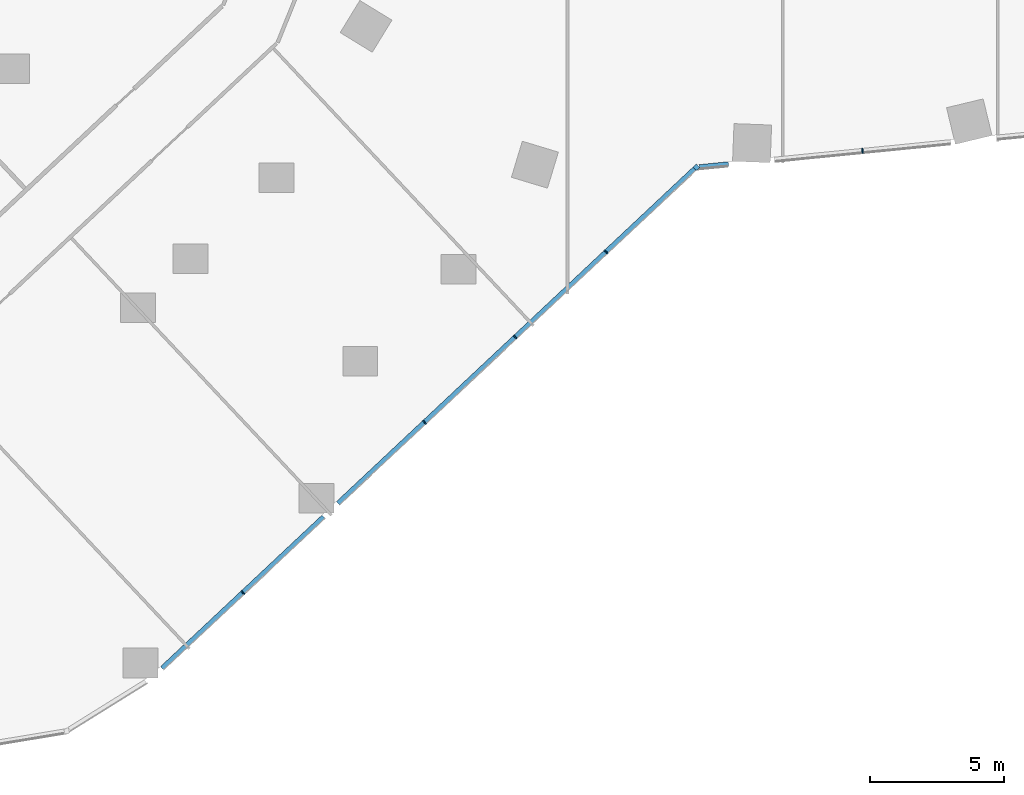
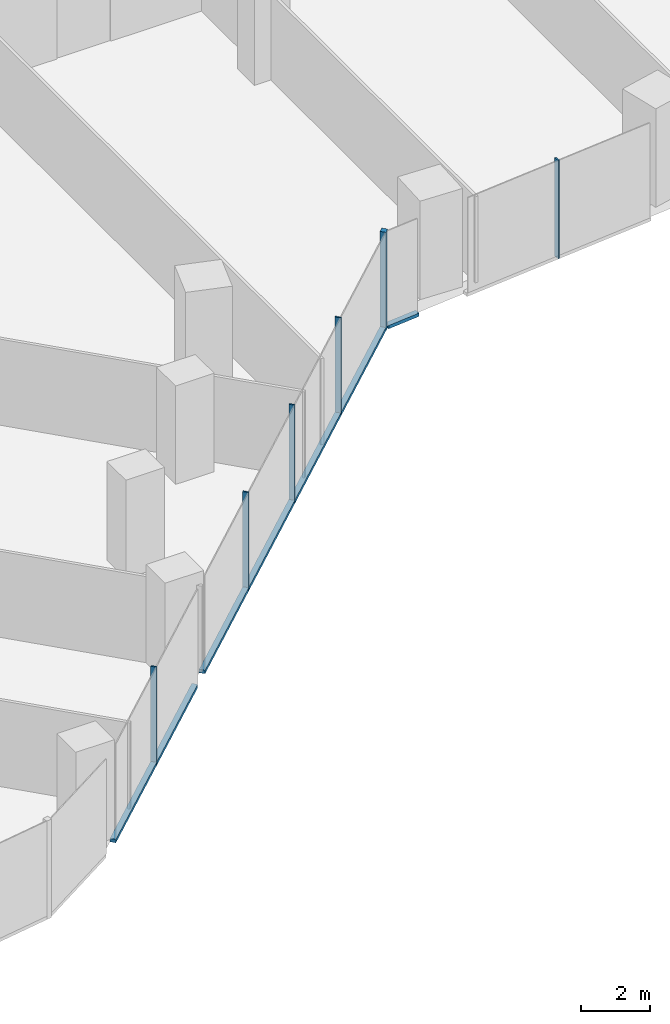
# One storey, part 4 of 34: 9 members, 2 elements without a shape of their own.
"""IFC4 building model written with IfcOpenShell, lengths in metres."""

from ifc_helpers import new_model, si_unit, direction, frame, origin, origin_2d, place, context, subcontext, project, spatial, rectangle, extrude, material, material_profile, profile_set, type_object, element, aggregate, save


model = new_model("IFC4")

# Units and contexts
model_context = context("Model", 3, precision=1e-05, world=origin(), true_north=direction((0.0, 1.0)))
body_context = subcontext(model_context, "Body", "Model", "MODEL_VIEW")
ifc_project = project(units=[si_unit("LENGTHUNIT", "METRE"), si_unit("AREAUNIT", "SQUARE_METRE"), si_unit("VOLUMEUNIT", "CUBIC_METRE"), si_unit("PLANEANGLEUNIT", "RADIAN"), si_unit("MASSUNIT", "GRAM", prefix="KILO")], contexts=[model_context])

# Site, building, storey
site_placement = place(None, origin())
site = spatial("IfcSite", under=ifc_project, at=site_placement, CompositionType="ELEMENT")
building_placement = place(site_placement, origin())
building = spatial("IfcBuilding", under=site, at=building_placement, Name="Orlundy Tower", CompositionType="ELEMENT")
storey_placement = place(building_placement, frame((0.0, 0.0, 40.800048828125)))
storey = spatial("IfcBuildingStorey", under=building, at=storey_placement, Name="L08", CompositionType="ELEMENT", Elevation=40.800048828125)

# Curtain wall, member
ifc_material_1 = material(Name="Aluminium bronze anodised", Category="aluminium")
curtain_wall_type = type_object("IfcCurtainWallType", Name="CW1 wall", PredefinedType="NOTDEFINED", material=ifc_material_1)
curtain_wall_1_placement = place(storey_placement, origin())
curtain_wall_1 = element("IfcCurtainWall", 1, at=curtain_wall_1_placement, inside=storey, type_object=curtain_wall_type, Name="CW1 run 018", PredefinedType="NOTDEFINED")
ifc_material_2 = material(Name="Aluminium bronze anodised", Category="aluminium")
ifc_material_profile_1 = material_profile(ifc_material_2, rectangle(XDim=0.179931640625, YDim=0.179931640625, at=origin_2d()), Name="CW1 corner post 180x180")
ifc_profile_set_1 = profile_set([ifc_material_profile_1], Name="Aluminium bronze anodised")
member_type_1 = type_object("IfcMemberType", Name="CW1 corner post 180x180", PredefinedType="MULLION", material=ifc_profile_set_1)
member_1_placement = place(storey_placement, frame((-3.210693359375, -30.556640625, -0.420166015625), z_axis=(0.0, 0.0, 1.0), x_axis=(0.684124281784, -0.729365455086, 0.0)))
member_1 = element("IfcMember", 2, at=member_1_placement, type_object=member_type_1, Name="CW1 mullion 51", PredefinedType="MULLION", context=body_context, shape_type="SweptSolid", body=[
    extrude(rectangle(XDim=0.179931640625, YDim=0.179931640625, at=origin_2d()), origin(), (0.0, 0.0, 1.0), 3.5),
])

curtain_wall_2_placement = place(storey_placement, origin())
curtain_wall_2 = element("IfcCurtainWall", 3, at=curtain_wall_2_placement, inside=storey, type_object=curtain_wall_type, Name="CW1 run 017", PredefinedType="NOTDEFINED")
ifc_material_3 = material(Name="Aluminium bronze anodised", Category="aluminium")
ifc_material_profile_2 = material_profile(ifc_material_3, rectangle(XDim=0.179931640625, YDim=0.050048828125, at=origin_2d()), Name="CW1 mullion 50x180")
ifc_profile_set_2 = profile_set([ifc_material_profile_2], Name="Aluminium bronze anodised")
member_type_2 = type_object("IfcMemberType", Name="CW1 mullion 50x180", PredefinedType="MULLION", material=ifc_profile_set_2)
member_2_placement = place(storey_placement, frame((2.971435546875, -29.943115234375, -0.420166015625), z_axis=(0.0, 0.0, 1.0), x_axis=(0.098750373279, -0.995112236774, 0.0)))
member_2 = element("IfcMember", 4, at=member_2_placement, type_object=member_type_2, Name="CW1 mullion 50", PredefinedType="MULLION", context=body_context, shape_type="SweptSolid", body=[
    extrude(rectangle(XDim=0.179931640625, YDim=0.050048828125, at=origin_2d()), origin(), (0.0, 0.0, 1.0), 3.5),
])

# Member
member_3_placement = place(storey_placement, frame((-6.56591796875, -33.70361328125, -0.420166015625), z_axis=(0.0, 0.0, 1.0), x_axis=(0.684124281784, -0.729365455086, 0.0)))
member_3 = element("IfcMember", 5, at=member_3_placement, type_object=member_type_2, Name="CW1 mullion 52", PredefinedType="MULLION", context=body_context, shape_type="SweptSolid", body=[
    extrude(rectangle(XDim=0.179931640625, YDim=0.050048828125, at=origin_2d()), origin(), (0.0, 0.0, 1.0), 3.5),
])

member_4_placement = place(storey_placement, frame((-9.943359375, -36.87158203125, -0.420166015625), z_axis=(0.0, 0.0, 1.0), x_axis=(0.684124281784, -0.729365455086, 0.0)))
member_4 = element("IfcMember", 6, at=member_4_placement, type_object=member_type_2, Name="CW1 mullion 53", PredefinedType="MULLION", context=body_context, shape_type="SweptSolid", body=[
    extrude(rectangle(XDim=0.179931640625, YDim=0.050048828125, at=origin_2d()), origin(), (0.0, 0.0, 1.0), 3.5),
])

member_5_placement = place(storey_placement, frame((-13.321044921875, -40.03955078125, -0.420166015625), z_axis=(0.0, 0.0, 1.0), x_axis=(0.684124281784, -0.729365455086, 0.0)))
member_5 = element("IfcMember", 7, at=member_5_placement, type_object=member_type_2, Name="CW1 mullion 54", PredefinedType="MULLION", context=body_context, shape_type="SweptSolid", body=[
    extrude(rectangle(XDim=0.179931640625, YDim=0.050048828125, at=origin_2d()), origin(), (0.0, 0.0, 1.0), 3.5),
])

member_6_placement = place(storey_placement, frame((-20.075927734375, -46.375732421875, -0.420166015625), z_axis=(0.0, 0.0, 1.0), x_axis=(0.684124281784, -0.729365455086, 0.0)))
member_6 = element("IfcMember", 8, at=member_6_placement, type_object=member_type_2, Name="CW1 mullion 56", PredefinedType="MULLION", context=body_context, shape_type="SweptSolid", body=[
    extrude(rectangle(XDim=0.179931640625, YDim=0.050048828125, at=origin_2d()), origin(), (0.0, 0.0, 1.0), 3.5),
])

ifc_material_4 = material(Name="Aluminium bronze anodised", Category="aluminium")
ifc_material_profile_3 = material_profile(ifc_material_4, rectangle(XDim=0.179931640625, YDim=0.1201171875, at=origin_2d()), Name="CW1 transom 180x120")
ifc_profile_set_3 = profile_set([ifc_material_profile_3], Name="Aluminium bronze anodised")
member_type_3 = type_object("IfcMemberType", Name="CW1 transom 180x120", PredefinedType="USERDEFINED", material=ifc_profile_set_3)
member_7_placement = place(storey_placement, frame((-2.0166015625, -30.43798828125, -0.360107421875), z_axis=(-0.99510149276, -0.098858581353, 0.0), x_axis=(0.098858581353, -0.99510149276, 0.0)))
member_7 = element("IfcMember", 9, at=member_7_placement, type_object=member_type_3, Name="CW1 transom", ObjectType="TRANSOM", PredefinedType="USERDEFINED", context=body_context, shape_type="SweptSolid", body=[
    extrude(rectangle(XDim=0.179931640625, YDim=0.1201171875, at=origin_2d()), origin(), (0.0, 0.0, 1.0), 1.086669921875),
])

aggregate(curtain_wall_2, [member_2, member_7])

member_8_placement = place(storey_placement, frame((-3.2763671875, -30.6181640625, -0.360107421875), z_axis=(-0.729371353005, -0.684117993781, 0.0), x_axis=(0.684117993781, -0.729371353005, 0.0)))
member_8 = element("IfcMember", 10, at=member_8_placement, type_object=member_type_3, Name="CW1 transom", ObjectType="TRANSOM", PredefinedType="USERDEFINED", context=body_context, shape_type="SweptSolid", body=[
    extrude(rectangle(XDim=0.179931640625, YDim=0.1201171875, at=origin_2d()), origin(), (0.0, 0.0, 1.0), 18.18115234375),
])

member_9_placement = place(storey_placement, frame((-17.073974609375, -43.56005859375, -0.360107421875), z_axis=(-0.729363270491, -0.68412661084, 0.0), x_axis=(0.68412661084, -0.729363270491, 0.0)))
member_9 = element("IfcMember", 11, at=member_9_placement, type_object=member_type_3, Name="CW1 transom", ObjectType="TRANSOM", PredefinedType="USERDEFINED", context=body_context, shape_type="SweptSolid", body=[
    extrude(rectangle(XDim=0.179931640625, YDim=0.1201171875, at=origin_2d()), origin(), (0.0, 0.0, 1.0), 8.23046875),
])

aggregate(curtain_wall_1, [member_1, member_3, member_4, member_5, member_6, member_8, member_9])

save(model, "model.ifc")
